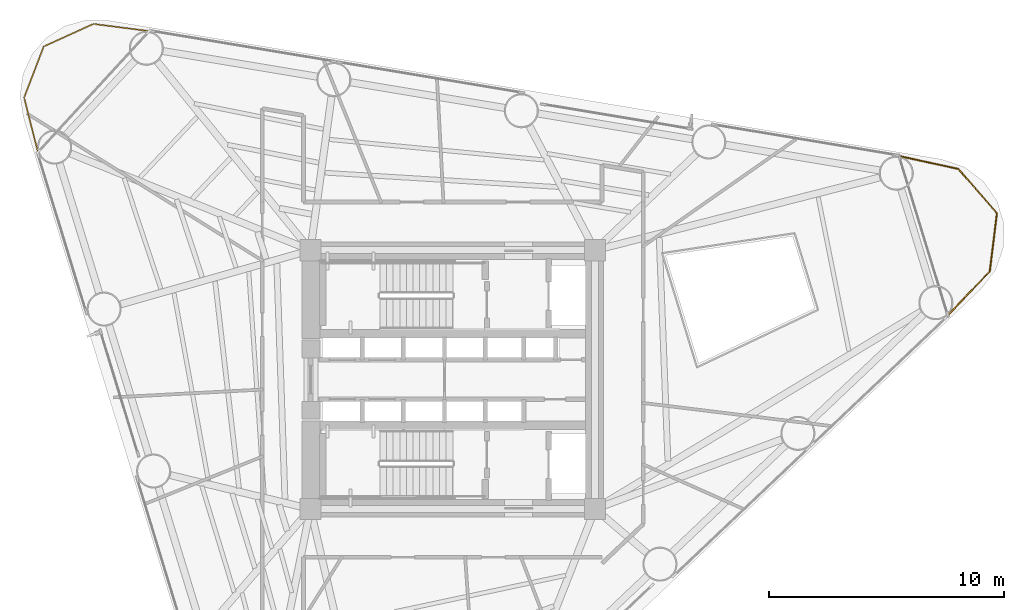
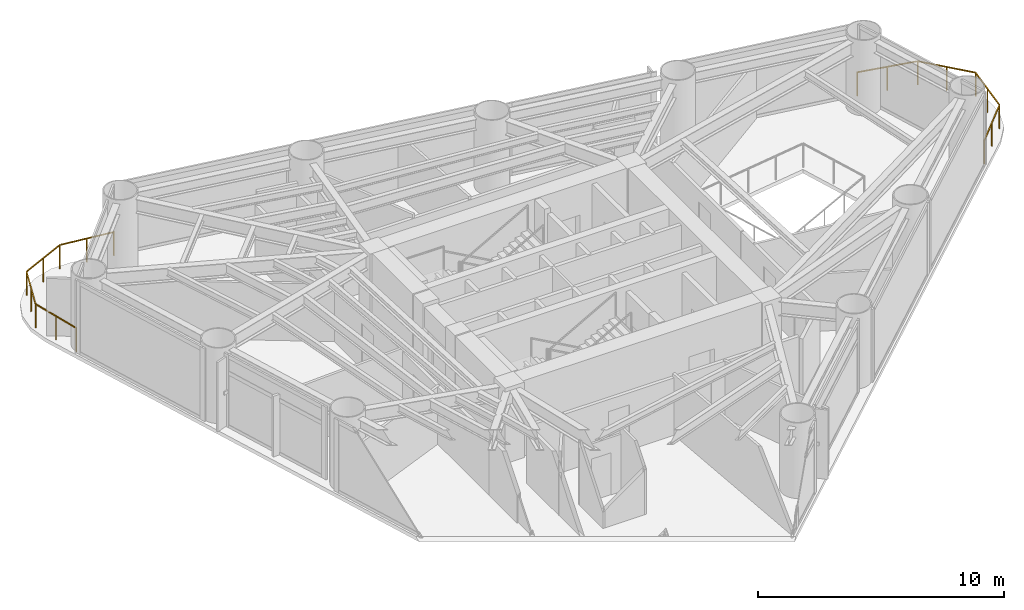
# One storey, part 10 of 10: 2 railings.
"""IFC4 building model written with IfcOpenShell, lengths in metres."""

from ifc_helpers import new_model, si_unit, direction, frame, origin, origin_2d, place, context, subcontext, project, spatial, rectangle, extrude, material, type_object, element, save


model = new_model("IFC4")

# Units and contexts
model_context = context("Model", 3, precision=1e-05, world=origin(), true_north=direction((0.0, 1.0)))
body_context = subcontext(model_context, "Body", "Model", "MODEL_VIEW")
ifc_project = project(units=[si_unit("LENGTHUNIT", "METRE"), si_unit("AREAUNIT", "SQUARE_METRE"), si_unit("VOLUMEUNIT", "CUBIC_METRE"), si_unit("PLANEANGLEUNIT", "RADIAN"), si_unit("MASSUNIT", "GRAM", prefix="KILO")], contexts=[model_context])

# Site, building, storey
site_placement = place(None, origin())
site = spatial("IfcSite", under=ifc_project, at=site_placement, CompositionType="ELEMENT")
building_placement = place(site_placement, origin())
building = spatial("IfcBuilding", under=site, at=building_placement, Name="Yunling Apex Tower", CompositionType="ELEMENT")
storey_placement = place(building_placement, frame((0.0, 0.0, 104.89990234375)))
storey = spatial("IfcBuildingStorey", under=building, at=storey_placement, Name="L26", CompositionType="ELEMENT", Elevation=104.89990234375)

# Railings
ifc_material = material(Name="Bronze anodised aluminium", Category="aluminium")
railing_type = type_object("IfcRailingType", Name="RL-BAL-1200", PredefinedType="BALUSTRADE", material=ifc_material)
railing_1_placement = place(storey_placement, frame((18.976806640625, 9.5029296875, 0.0)))
element("IfcRailing", 1, at=railing_1_placement, inside=storey, type_object=railing_type, Name="RL-CRNSILL-L26-1", PredefinedType="BALUSTRADE", context=body_context, shape_type="SweptSolid", body=[
    extrude(rectangle(XDim=0.0439453125, YDim=0.0439453125, at=origin_2d()), origin(), (0.0, 0.0, 1.0), 1.199951171875),
    extrude(rectangle(XDim=0.0439453125, YDim=0.0439453125, at=origin_2d()), frame((2.5205078125, -0.54833984375, 0.0)), (0.0, 0.0, 1.0), 1.199951171875),
    extrude(rectangle(XDim=0.050048828125, YDim=0.050048828125, at=origin_2d()), frame((0.037353515625, -0.008056640625, 1.1748046875), z_axis=(0.977143892078, -0.212578959861, 0.0), x_axis=(0.212578959861, 0.977143892078, 0.0)), (0.0, 0.0, 1.0), 2.502685546875),
    extrude(rectangle(XDim=0.0439453125, YDim=0.0439453125, at=origin_2d()), frame((1.26025390625, -0.274169921875, 0.0)), (0.0, 0.0, 1.0), 1.14599609375),
    extrude(rectangle(XDim=0.0439453125, YDim=0.0439453125, at=origin_2d()), frame((4.156005859375, -2.430419921875, 0.0)), (0.0, 0.0, 1.0), 1.199951171875),
    extrude(rectangle(XDim=0.050048828125, YDim=0.050048828125, at=origin_2d()), frame((2.545654296875, -0.577392578125, 1.1748046875), z_axis=(0.655928991852, -0.754822600117, 0.0), x_axis=(0.754822600117, 0.655928991852, 0.0)), (0.0, 0.0, 1.0), 2.416748046875),
    extrude(rectangle(XDim=0.0439453125, YDim=0.0439453125, at=origin_2d()), frame((3.33837890625, -1.4892578125, 0.0)), (0.0, 0.0, 1.0), 1.14599609375),
    extrude(rectangle(XDim=0.0439453125, YDim=0.0439453125, at=origin_2d()), frame((3.8525390625, -4.905517578125, 0.0)), (0.0, 0.0, 1.0), 1.199951171875),
    extrude(rectangle(XDim=0.050048828125, YDim=0.050048828125, at=origin_2d()), frame((4.1513671875, -2.468505859375, 1.1748046875), z_axis=(-0.121696705052, -0.992567333726, 0.0), x_axis=(0.992567333726, -0.121696705052, 0.0)), (0.0, 0.0, 1.0), 2.4169921875),
    extrude(rectangle(XDim=0.0439453125, YDim=0.0439453125, at=origin_2d()), frame((4.00439453125, -3.66796875, 0.0)), (0.0, 0.0, 1.0), 1.14599609375),
    extrude(rectangle(XDim=0.0439453125, YDim=0.0439453125, at=origin_2d()), frame((2.06982421875, -6.76953125, 0.0)), (0.0, 0.0, 1.0), 1.199951171875),
    extrude(rectangle(XDim=0.050048828125, YDim=0.050048828125, at=origin_2d()), frame((3.825927734375, -4.93310546875, 1.1748046875), z_axis=(-0.691171065155, -0.722691191791, 0.0), x_axis=(0.722691191791, -0.691171065155, 0.0)), (0.0, 0.0, 1.0), 2.502685546875),
    extrude(rectangle(XDim=0.0439453125, YDim=0.0439453125, at=origin_2d()), frame((2.961181640625, -5.83740234375, 0.0)), (0.0, 0.0, 1.0), 1.14599609375),
])
railing_2_placement = place(storey_placement, frame((-17.63525390625, 9.6669921875, 0.0)))
element("IfcRailing", 2, at=railing_2_placement, inside=storey, type_object=railing_type, Name="RL-CRNSILL-L26-2", PredefinedType="BALUSTRADE", context=body_context, shape_type="SweptSolid", body=[
    extrude(rectangle(XDim=0.0439453125, YDim=0.0439453125, at=origin_2d()), origin(), (0.0, 0.0, 1.0), 1.199951171875),
    extrude(rectangle(XDim=0.0439453125, YDim=0.0439453125, at=origin_2d()), frame((-0.58642578125, 2.31884765625, 0.0)), (0.0, 0.0, 1.0), 1.199951171875),
    extrude(rectangle(XDim=0.050048828125, YDim=0.050048828125, at=origin_2d()), frame((-0.00927734375, 0.037109375, 1.1748046875), z_axis=(-0.245176585422, 0.96947843811, 0.0), x_axis=(-0.96947843811, -0.245176585422, 0.0)), (0.0, 0.0, 1.0), 2.315185546875),
    extrude(rectangle(XDim=0.0439453125, YDim=0.0439453125, at=origin_2d()), frame((-0.293212890625, 1.159423828125, 0.0)), (0.0, 0.0, 1.0), 1.14599609375),
    extrude(rectangle(XDim=0.0439453125, YDim=0.0439453125, at=origin_2d()), frame((0.2470703125, 4.49267578125, 0.0)), (0.0, 0.0, 1.0), 1.199951171875),
    extrude(rectangle(XDim=0.050048828125, YDim=0.050048828125, at=origin_2d()), frame((-0.57275390625, 2.354736328125, 1.1748046875), z_axis=(0.358009154452, 0.933718075935, 0.0), x_axis=(-0.933718075935, 0.358009154452, 0.0)), (0.0, 0.0, 1.0), 2.25146484375),
    extrude(rectangle(XDim=0.0439453125, YDim=0.0439453125, at=origin_2d()), frame((-0.169677734375, 3.40576171875, 0.0)), (0.0, 0.0, 1.0), 1.14599609375),
    extrude(rectangle(XDim=0.0439453125, YDim=0.0439453125, at=origin_2d()), frame((2.359375, 5.453369140625, 0.0)), (0.0, 0.0, 1.0), 1.199951171875),
    extrude(rectangle(XDim=0.050048828125, YDim=0.050048828125, at=origin_2d()), frame((0.281982421875, 4.508544921875, 1.1748046875), z_axis=(0.910276378893, 0.4140011039, 0.0), x_axis=(-0.4140011039, 0.910276378893, 0.0)), (0.0, 0.0, 1.0), 2.243896484375),
    extrude(rectangle(XDim=0.0439453125, YDim=0.0439453125, at=origin_2d()), frame((1.30322265625, 4.97314453125, 0.0)), (0.0, 0.0, 1.0), 1.14599609375),
    extrude(rectangle(XDim=0.0439453125, YDim=0.0439453125, at=origin_2d()), frame((4.732666015625, 5.14794921875, 0.0)), (0.0, 0.0, 1.0), 1.199951171875),
    extrude(rectangle(XDim=0.050048828125, YDim=0.050048828125, at=origin_2d()), frame((2.3974609375, 5.448486328125, 1.1748046875), z_axis=(0.991820835982, -0.127637883532, 0.0), x_axis=(0.127637883532, 0.991820835982, 0.0)), (0.0, 0.0, 1.0), 2.316162109375),
    extrude(rectangle(XDim=0.0439453125, YDim=0.0439453125, at=origin_2d()), frame((3.5458984375, 5.30078125, 0.0)), (0.0, 0.0, 1.0), 1.14599609375),
])

save(model, "model.ifc")
